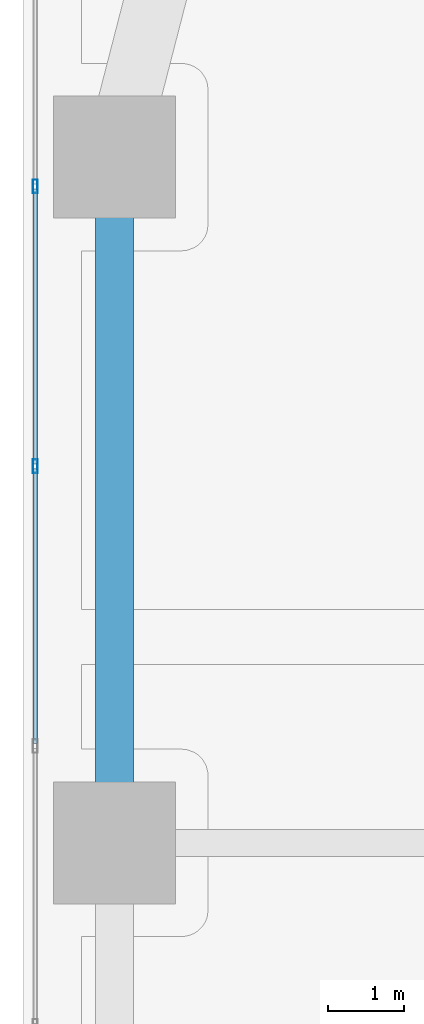
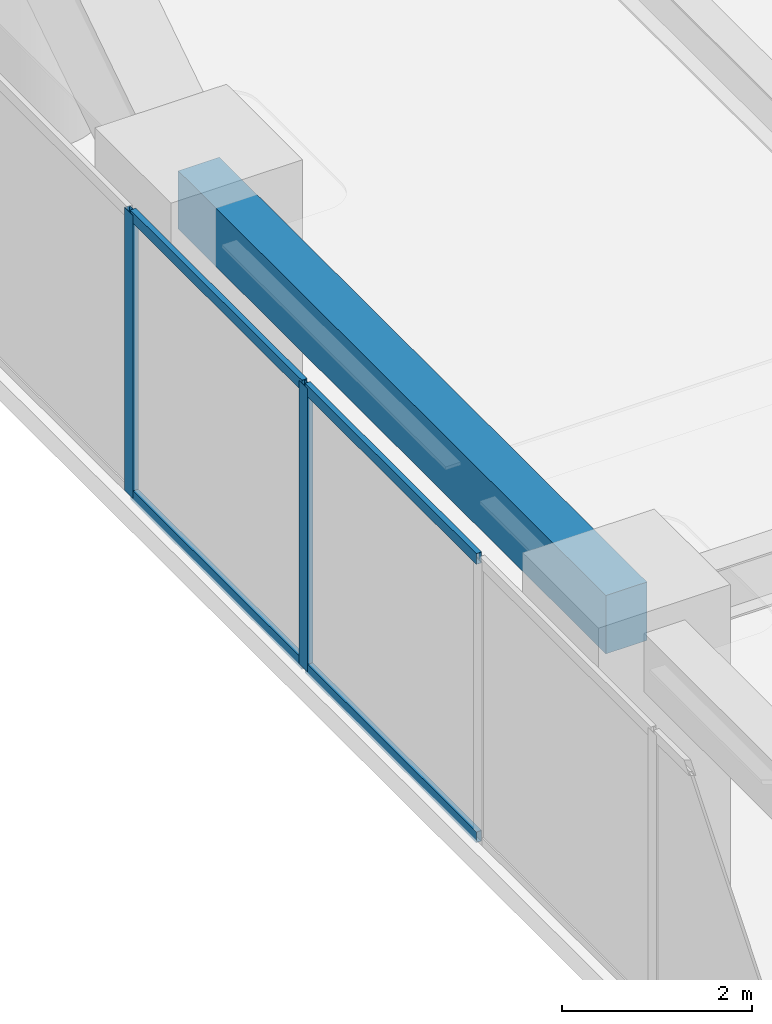
# One storey, part 12 of 29: 6 members, 1 beam, 1 element without a shape of its own.
"""IFC4 building model written with IfcOpenShell, lengths in metres."""

from ifc_helpers import new_model, si_unit, direction, frame, origin, origin_2d, place, context, subcontext, project, spatial, rectangle, hollow_rectangle, extrude, material, layer, layer_set, material_profile, profile_set, type_object, element, aggregate, save


model = new_model("IFC4")

# Units and contexts
model_context = context("Model", 3, precision=1e-05, world=origin(), true_north=direction((0.0, 1.0)))
body_context = subcontext(model_context, "Body", "Model", "MODEL_VIEW")
ifc_project = project(units=[si_unit("LENGTHUNIT", "METRE"), si_unit("AREAUNIT", "SQUARE_METRE"), si_unit("VOLUMEUNIT", "CUBIC_METRE"), si_unit("PLANEANGLEUNIT", "RADIAN"), si_unit("MASSUNIT", "GRAM", prefix="KILO")], contexts=[model_context])

# Site, building, storey
site_placement = place(None, origin())
site = spatial("IfcSite", under=ifc_project, at=site_placement, CompositionType="ELEMENT")
building_placement = place(site_placement, origin())
building = spatial("IfcBuilding", under=site, at=building_placement, Name="Kiyonajd Concourse Tower", CompositionType="ELEMENT")
storey_placement = place(building_placement, frame((0.0, 0.0, 52.800048828125)))
storey = spatial("IfcBuildingStorey", under=building, at=storey_placement, Name="L14", CompositionType="ELEMENT", Elevation=52.800048828125)

# Beam
ifc_material_1 = material(Name="Precast concrete C50/60", Category="concrete")
ifc_material_profile_1 = material_profile(ifc_material_1, rectangle(XDim=0.5, YDim=0.75, at=origin_2d()), Name="RCBM-500x750")
ifc_profile_set_1 = profile_set([ifc_material_profile_1], Name="Precast concrete C50/60")
beam_type = type_object("IfcBeamType", Name="BM-SPAN-RC", PredefinedType="SPANDREL", material=ifc_profile_set_1)
beam_placement = place(storey_placement, frame((19.199951171875, 53.39990234375, 3.264892578125), z_axis=(0.0, -1.0, 0.0), x_axis=(1.0, 0.0, 0.0)))
element("IfcBeam", 1, at=beam_placement, inside=storey, type_object=beam_type, Name="L14 Perimeter Bundled Tube Spandrel", PredefinedType="SPANDREL", context=body_context, shape_type="SweptSolid", body=[
    extrude(rectangle(XDim=0.5, YDim=0.75, at=origin_2d()), origin(), (0.0, 0.0, 1.0), 9.0),
])

# Curtain wall, members
ifc_material_2 = material(Name="Thermally Broken Anodised Aluminium", Category="aluminium")
ifc_layer = layer(ifc_material_2, 0.179931640625)
ifc_layer_set = layer_set([ifc_layer], Name="Thermally Broken Anodised Aluminium")
curtain_wall_type = type_object("IfcCurtainWallType", Name="CW-SYS-02", PredefinedType="NOTDEFINED", material=ifc_layer_set)
curtain_wall_placement = place(storey_placement, origin())
curtain_wall = element("IfcCurtainWall", 2, at=curtain_wall_placement, inside=storey, type_object=curtain_wall_type, Name="L14 Unitised Curtain Wall CW2", PredefinedType="NOTDEFINED")
ifc_material_profile_2 = material_profile(ifc_material_2, hollow_rectangle(XDim=0.06494140625, YDim=0.179931640625, WallThickness=0.00390625, at=origin_2d()), Name="MULL-65x180")
ifc_profile_set_2 = profile_set([ifc_material_profile_2], Name="Thermally Broken Anodised Aluminium")
member_type_1 = type_object("IfcMemberType", Name="MB-CW-MULL1", PredefinedType="MULLION", material=ifc_profile_set_2)
member_1_placement = place(storey_placement, frame((18.159912109375, 49.342529296875, 0.0), z_axis=(0.0, 0.0, 1.0), x_axis=(-1.0, 0.0, 0.0)))
member_1 = element("IfcMember", 3, at=member_1_placement, type_object=member_type_1, Name="CW2 mullion 5", PredefinedType="MULLION", context=body_context, shape_type="SweptSolid", body=[
    extrude(hollow_rectangle(XDim=0.06494140625, YDim=0.179931640625, WallThickness=0.00390625, at=origin_2d()), origin(), (0.0, 0.0, 1.0), 3.639892578125),
])
member_2_placement = place(storey_placement, frame((18.159912109375, 53.015869140625, 0.0), z_axis=(0.0, 0.0, 1.0), x_axis=(-1.0, 0.0, 0.0)))
member_2 = element("IfcMember", 4, at=member_2_placement, type_object=member_type_1, Name="CW2 mullion 6", PredefinedType="MULLION", context=body_context, shape_type="SweptSolid", body=[
    extrude(hollow_rectangle(XDim=0.06494140625, YDim=0.179931640625, WallThickness=0.00390625, at=origin_2d()), origin(), (0.0, 0.0, 1.0), 3.639892578125),
])
ifc_material_profile_3 = material_profile(ifc_material_2, hollow_rectangle(XDim=0.06494140625, YDim=0.139892578125, WallThickness=0.00390625, at=origin_2d()), Name="TRAN-65x140")
ifc_profile_set_3 = profile_set([ifc_material_profile_3], Name="Thermally Broken Anodised Aluminium")
member_type_2 = type_object("IfcMemberType", Name="MB-CW-TRAN1", PredefinedType="USERDEFINED", material=ifc_profile_set_3)
member_3_placement = place(storey_placement, frame((18.159912109375, 45.701904296875, 0.032470703125), z_axis=(0.0, 1.0, 0.0), x_axis=(-1.0, 0.0, 0.0)))
member_3 = element("IfcMember", 5, at=member_3_placement, type_object=member_type_2, Name="CW2 transom 4.1", ObjectType="TRANSOM", PredefinedType="USERDEFINED", context=body_context, shape_type="SweptSolid", body=[
    extrude(hollow_rectangle(XDim=0.06494140625, YDim=0.139892578125, WallThickness=0.00390625, at=origin_2d()), origin(), (0.0, 0.0, 1.0), 3.608154296875),
])
member_4_placement = place(storey_placement, frame((18.159912109375, 45.701904296875, 3.607421875), z_axis=(0.0, 1.0, 0.0), x_axis=(-1.0, 0.0, 0.0)))
member_4 = element("IfcMember", 6, at=member_4_placement, type_object=member_type_2, Name="CW2 transom 4.2", ObjectType="TRANSOM", PredefinedType="USERDEFINED", context=body_context, shape_type="SweptSolid", body=[
    extrude(hollow_rectangle(XDim=0.06494140625, YDim=0.139892578125, WallThickness=0.00390625, at=origin_2d()), origin(), (0.0, 0.0, 1.0), 3.608154296875),
])
member_5_placement = place(storey_placement, frame((18.159912109375, 49.375, 0.032470703125), z_axis=(0.0, 1.0, 0.0), x_axis=(-1.0, 0.0, 0.0)))
member_5 = element("IfcMember", 7, at=member_5_placement, type_object=member_type_2, Name="CW2 transom 5.1", ObjectType="TRANSOM", PredefinedType="USERDEFINED", context=body_context, shape_type="SweptSolid", body=[
    extrude(hollow_rectangle(XDim=0.06494140625, YDim=0.139892578125, WallThickness=0.00390625, at=origin_2d()), origin(), (0.0, 0.0, 1.0), 3.608154296875),
])
member_6_placement = place(storey_placement, frame((18.159912109375, 49.375, 3.607421875), z_axis=(0.0, 1.0, 0.0), x_axis=(-1.0, 0.0, 0.0)))
member_6 = element("IfcMember", 8, at=member_6_placement, type_object=member_type_2, Name="CW2 transom 5.2", ObjectType="TRANSOM", PredefinedType="USERDEFINED", context=body_context, shape_type="SweptSolid", body=[
    extrude(hollow_rectangle(XDim=0.06494140625, YDim=0.139892578125, WallThickness=0.00390625, at=origin_2d()), origin(), (0.0, 0.0, 1.0), 3.608154296875),
])
aggregate(curtain_wall, [member_1, member_2, member_3, member_4, member_5, member_6])

save(model, "model.ifc")
